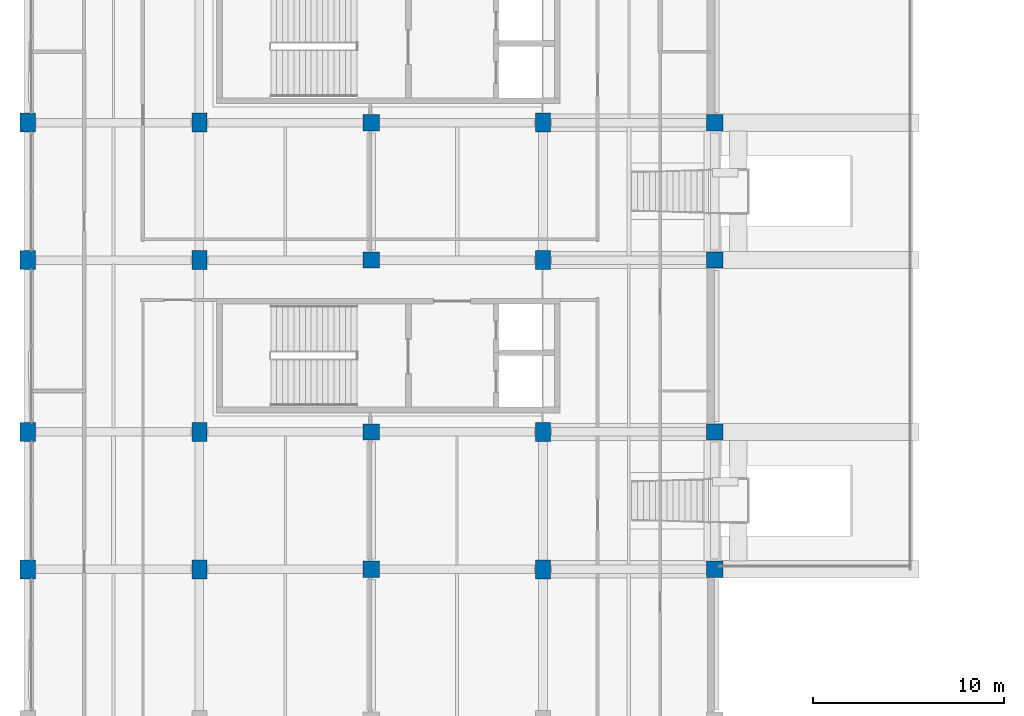
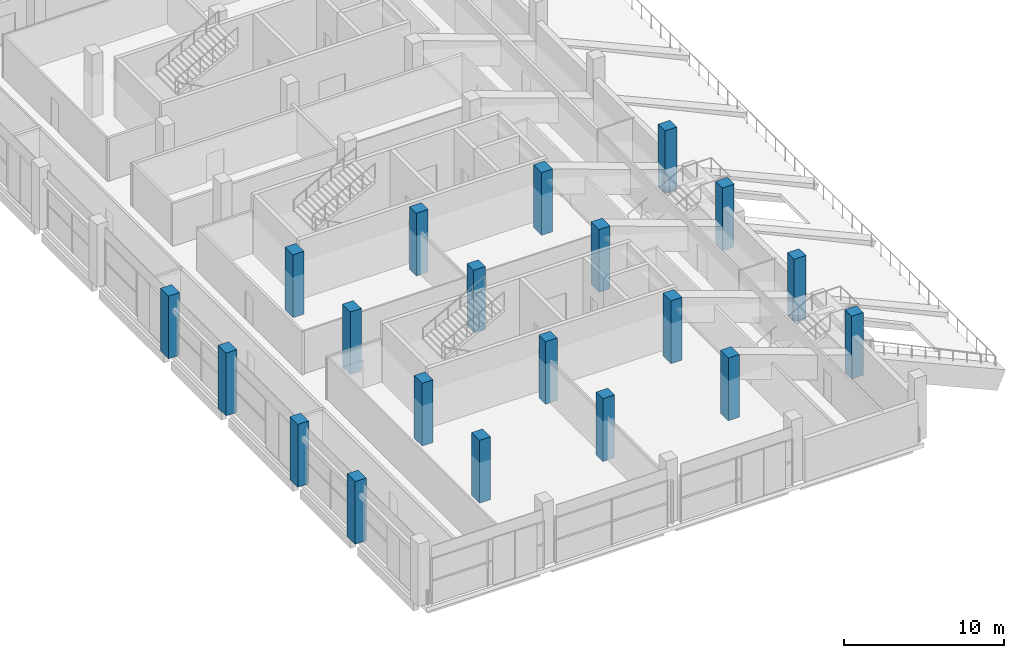
# One storey, part 3 of 66: 20 columns.
"""IFC4 building model written with IfcOpenShell, lengths in metres."""

from ifc_helpers import new_model, si_unit, direction, frame, origin, origin_2d, place, context, subcontext, project, spatial, rectangle, extrude, material, material_profile, profile_set, type_object, element, save


model = new_model("IFC4")

# Units and contexts
model_context = context("Model", 3, precision=1e-05, world=origin(), true_north=direction((0.0, 1.0)))
body_context = subcontext(model_context, "Body", "Model", "MODEL_VIEW")
ifc_project = project(units=[si_unit("LENGTHUNIT", "METRE"), si_unit("AREAUNIT", "SQUARE_METRE"), si_unit("VOLUMEUNIT", "CUBIC_METRE"), si_unit("PLANEANGLEUNIT", "RADIAN"), si_unit("MASSUNIT", "GRAM", prefix="KILO"), si_unit("THERMODYNAMICTEMPERATUREUNIT", "KELVIN"), si_unit("POWERUNIT", "WATT")], contexts=[model_context])

# Site, building, storey
site_placement = place(None, origin())
site = spatial("IfcSite", under=ifc_project, at=site_placement, CompositionType="ELEMENT")
building_placement = place(site_placement, origin())
building = spatial("IfcBuilding", under=site, at=building_placement, Name="Sindhuravela Promenade Stadium", CompositionType="ELEMENT")
storey_placement = place(building_placement, frame((0.0, 0.0, 19.199951171875)))
storey = spatial("IfcBuildingStorey", under=building, at=storey_placement, Name="L04", CompositionType="ELEMENT", Elevation=19.199951171875)

# Columns
ifc_material = material(Name="Concrete M40", Category="concrete")
ifc_material_profile_1 = material_profile(ifc_material, rectangle(XDim=0.800048828125, YDim=1.0, at=origin_2d()), Name="RC 800x1000")
ifc_profile_set_1 = profile_set([ifc_material_profile_1], Name="Concrete M40")
column_type_1 = type_object("IfcColumnType", Name="RC-CL-800x1000", PredefinedType="COLUMN", material=ifc_profile_set_1)
for number, where, z_axis, x_axis, name in (
    (1, (0.0, 45.0, 0.0), (0.0, 0.0, 1.0), (1.0, 0.0, 0.0), "Column C10 WEST L04"),
    (2, (0.0, 52.199951171875, 0.0), (0.0, 0.0, 1.0), (1.0, 0.0, 0.0), "Column C10 WEST L04"),
    (3, (0.0, 61.199951171875, 0.0), (0.0, 0.0, 1.0), (1.0, 0.0, 0.0), "Column C10 WEST L04"),
    (4, (0.0, 68.39990234375, 0.0), (0.0, 0.0, 1.0), (1.0, 0.0, 0.0), "Column C10 WEST L04"),
    (5, (9.0, 45.0, 0.0), (0.0, 0.0, 1.0), (1.0, 0.0, 0.0), "Column C10 WEST L04"),
    (6, (9.0, 52.199951171875, 0.0), (0.0, 0.0, 1.0), (1.0, 0.0, 0.0), "Column C10 WEST L04"),
    (7, (9.0, 61.199951171875, 0.0), (0.0, 0.0, 1.0), (1.0, 0.0, 0.0), "Column C10 WEST L04"),
    (8, (9.0, 68.39990234375, 0.0), (0.0, 0.0, 1.0), (1.0, 0.0, 0.0), "Column C10 WEST L04"),
    (9, (27.0, 45.0, 0.0), (0.0, 0.0, 1.0), (1.0, 0.0, 0.0), "Column C10 WEST L04"),
    (10, (27.0, 52.199951171875, 0.0), (0.0, 0.0, 1.0), (1.0, 0.0, 0.0), "Column C10 WEST L04"),
    (11, (27.0, 61.199951171875, 0.0), (0.0, 0.0, 1.0), (1.0, 0.0, 0.0), "Column C10 WEST L04"),
    (12, (27.0, 68.39990234375, 0.0), (0.0, 0.0, 1.0), (1.0, 0.0, 0.0), "Column C10 WEST L04"),
):
    element("IfcColumn", number, at=place(storey_placement, frame(where, z_axis=z_axis, x_axis=x_axis)), inside=storey, type_object=column_type_1, Name=name, PredefinedType="COLUMN", context=body_context, shape_type="SweptSolid", body=[
        extrude(rectangle(XDim=0.800048828125, YDim=1.0, at=origin_2d()), origin(), (0.0, 0.0, 1.0), 4.800048828125),
    ])
ifc_material_profile_2 = material_profile(ifc_material, rectangle(XDim=0.85009765625, YDim=0.85009765625, at=origin_2d()), Name="RC 850x850")
ifc_profile_set_2 = profile_set([ifc_material_profile_2], Name="Concrete M40")
column_type_2 = type_object("IfcColumnType", Name="RC-CL-850x850", PredefinedType="COLUMN", material=ifc_profile_set_2)
for number, where, z_axis, x_axis, name in (
    (13, (18.0, 45.0, 0.0), (0.0, 0.0, 1.0), (1.0, 0.0, 0.0), "Column C09 WEST L04"),
    (14, (18.0, 52.199951171875, 0.0), (0.0, 0.0, 1.0), (1.0, 0.0, 0.0), "Column C09 WEST L04"),
    (15, (18.0, 61.199951171875, 0.0), (0.0, 0.0, 1.0), (1.0, 0.0, 0.0), "Column C09 WEST L04"),
    (16, (18.0, 68.39990234375, 0.0), (0.0, 0.0, 1.0), (1.0, 0.0, 0.0), "Column C09 WEST L04"),
    (17, (36.0, 45.0, 0.0), (0.0, 0.0, 1.0), (1.0, 0.0, 0.0), "Column C09 WEST L04"),
    (18, (36.0, 52.199951171875, 0.0), (0.0, 0.0, 1.0), (1.0, 0.0, 0.0), "Column C09 WEST L04"),
    (19, (36.0, 61.199951171875, 0.0), (0.0, 0.0, 1.0), (1.0, 0.0, 0.0), "Column C09 WEST L04"),
    (20, (36.0, 68.39990234375, 0.0), (0.0, 0.0, 1.0), (1.0, 0.0, 0.0), "Column C09 WEST L04"),
):
    element("IfcColumn", number, at=place(storey_placement, frame(where, z_axis=z_axis, x_axis=x_axis)), inside=storey, type_object=column_type_2, Name=name, PredefinedType="COLUMN", context=body_context, shape_type="SweptSolid", body=[
        extrude(rectangle(XDim=0.85009765625, YDim=0.85009765625, at=origin_2d()), origin(), (0.0, 0.0, 1.0), 4.800048828125),
    ])

save(model, "model.ifc")
